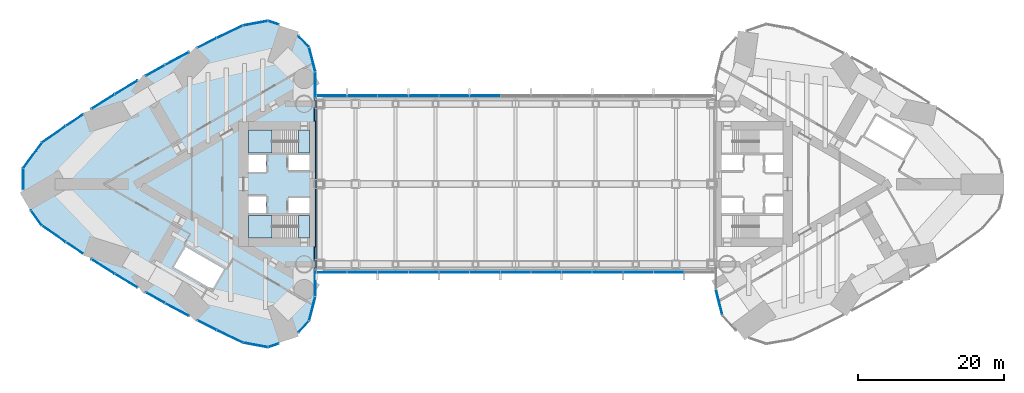
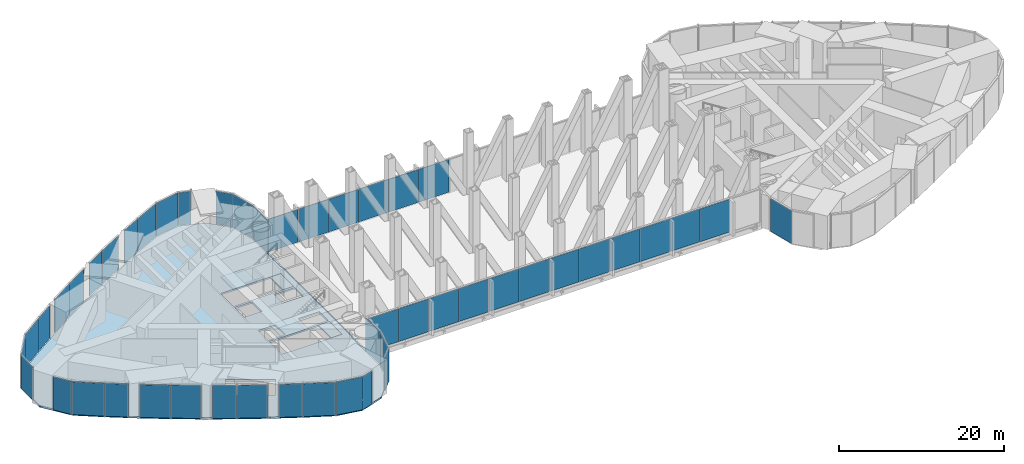
# One storey, part 14 of 21: 49 plates, 5 slabs, 15 elements without a shape of their own.
"""IFC4 building model written with IfcOpenShell, lengths in metres."""

from ifc_helpers import new_model, si_unit, direction, frame, origin, origin_2d, place, context, subcontext, project, spatial, polyline, rectangle, outline, extrude, material, layer, layer_set, type_object, element, aggregate, save


model = new_model("IFC4")

# Units and contexts
model_context = context("Model", 3, precision=1e-05, world=origin(), true_north=direction((0.0, 1.0)))
body_context = subcontext(model_context, "Body", "Model", "MODEL_VIEW")
ifc_project = project(units=[si_unit("LENGTHUNIT", "METRE"), si_unit("AREAUNIT", "SQUARE_METRE"), si_unit("VOLUMEUNIT", "CUBIC_METRE"), si_unit("PLANEANGLEUNIT", "RADIAN"), si_unit("MASSUNIT", "GRAM", prefix="KILO")], contexts=[model_context])

# Site, building, storey
site_placement = place(None, origin())
site = spatial("IfcSite", under=ifc_project, at=site_placement, CompositionType="ELEMENT")
building_placement = place(site_placement, origin())
building = spatial("IfcBuilding", under=site, at=building_placement, Name="Lancet Gate Hotel", CompositionType="ELEMENT")
storey_placement = place(building_placement, frame((0.0, 0.0, 205.300048828125)))
storey = spatial("IfcBuildingStorey", under=building, at=storey_placement, Name="L55", CompositionType="ELEMENT", Elevation=205.300048828125)

# Slab
ifc_material_1 = material(Name="Concrete C50/60", Category="concrete")
ifc_layer_1 = layer(ifc_material_1, 0.25)
ifc_layer_set_1 = layer_set([ifc_layer_1], Name="Floor slab 250")
slab_type_1 = type_object("IfcSlabType", Name="Floor slab 250", PredefinedType="FLOOR", material=ifc_layer_set_1)
slab_1_placement = place(storey_placement, frame((0.0, 0.0, -0.25)))
element("IfcSlab", 1, at=slab_1_placement, inside=storey, type_object=slab_type_1, Name="T1 L55 floor slab", PredefinedType="FLOOR", context=body_context, shape_type="SweptSolid", body=[
    extrude(outline(polyline([(-27.5, 8.60009765625), (-27.6201171875, 8.60009765625), (-27.6201171875, 15.408203125), (-28.46923828125, 18.7265625), (-30.797607421875, 21.217529296875), (-34.0361328125, 22.283935546875), (-37.403564453125, 21.660400390625), (-40.996826171875, 19.9453125), (-44.561767578125, 18.139404296875), (-48.0830078125, 16.250244140625), (-51.558837890625, 14.27880859375), (-54.987548828125, 12.22607421875), (-58.366943359375, 10.09326171875), (-61.695068359375, 7.881591796875), (-64.955322265625, 5.602783203125), (-67.49560546875, 2.138427734375), (-67.49560546875, -2.138427734375), (-64.955322265625, -5.602783203125), (-61.695068359375, -7.881591796875), (-58.366943359375, -10.09326171875), (-54.987548828125, -12.22607421875), (-51.558837890625, -14.27880859375), (-48.0830078125, -16.250244140625), (-44.561767578125, -18.139404296875), (-40.996826171875, -19.9453125), (-37.403564453125, -21.660400390625), (-34.0361328125, -22.283935546875), (-30.797607421875, -21.217529296875), (-28.46923828125, -18.7265625), (-27.6201171875, -15.408203125), (-27.6201171875, -8.60009765625), (-27.5, -8.60009765625), (-27.5, -8.199951171875), (-27.5, 8.199951171875), (-27.5, 8.60009765625)]), holes=[polyline([(-36.699951171875, 7.39990234375), (-36.699951171875, 4.300048828125), (-28.300048828125, 4.300048828125), (-28.300048828125, 7.39990234375), (-36.699951171875, 7.39990234375)]), polyline([(-28.300048828125, 4.0), (-31.199951171875, 4.0), (-31.199951171875, 1.89990234375), (-28.300048828125, 1.89990234375), (-28.300048828125, 4.0)]), polyline([(-34.25, 4.0), (-36.699951171875, 4.0), (-36.699951171875, 1.64990234375), (-34.25, 1.64990234375), (-34.25, 4.0)]), polyline([(-36.699951171875, -1.64990234375), (-36.699951171875, -4.0), (-34.25, -4.0), (-34.25, -1.64990234375), (-36.699951171875, -1.64990234375)]), polyline([(-28.300048828125, -1.89990234375), (-31.199951171875, -1.89990234375), (-31.199951171875, -4.0), (-28.300048828125, -4.0), (-28.300048828125, -1.89990234375)]), polyline([(-28.300048828125, -4.300048828125), (-36.699951171875, -4.300048828125), (-36.699951171875, -7.39990234375), (-28.300048828125, -7.39990234375), (-28.300048828125, -4.300048828125)]), polyline([(-45.319091796875, -8.631103515625), (-46.9189453125, -11.402099609375), (-41.635986328125, -14.451904296875), (-40.035888671875, -11.680908203125), (-45.319091796875, -8.631103515625)])]), origin(), (0.0, 0.0, 1.0), 0.25),
])

# Curtain wall, plates
ifc_material_2 = material(Name="Aluminium curtain wall", Category="aluminium")
curtain_wall_type = type_object("IfcCurtainWallType", Name="Refuge storey louvred curtain wall", PredefinedType="USERDEFINED", material=ifc_material_2)
curtain_wall_1_placement = place(storey_placement, origin())
curtain_wall_1 = element("IfcCurtainWall", 2, at=curtain_wall_1_placement, inside=storey, type_object=curtain_wall_type, Name="T1 L55 curtain wall 1", ObjectType="LANTERN GLAZING", PredefinedType="USERDEFINED")
ifc_material_3 = material(Name="Aluminium weather louvre 100 deep", Category="aluminium")
ifc_layer_2 = layer(ifc_material_3, 0.10009765625)
ifc_layer_set_2 = layer_set([ifc_layer_2], Name="Louvre panel")
plate_type_1 = type_object("IfcPlateType", Name="Louvre panel", PredefinedType="CURTAIN_PANEL", material=ifc_layer_set_2)
plate_1_placement = place(storey_placement, frame((-27.5, 13.617431640625, 0.0), z_axis=(0.0, 0.0, 1.0), x_axis=(0.0, 1.0, 0.0)))
plate_1 = element("IfcPlate", 3, at=plate_1_placement, type_object=plate_type_1, Name="T1 L55 curtain wall 1 panel 1", PredefinedType="CURTAIN_PANEL", context=body_context, shape_type="SweptSolid", body=[
    extrude(rectangle(XDim=3.546630859375, YDim=0.10009765625, at=origin_2d()), origin(), (0.0, 0.0, 1.0), 4.85009765625),
])
plate_2_placement = place(storey_placement, frame((-27.930419921875, 17.104736328125, 0.0), z_axis=(0.0, 0.0, 1.0), x_axis=(-0.247936754654, 0.968776220647, 0.0)))
plate_2 = element("IfcPlate", 4, at=plate_2_placement, type_object=plate_type_1, Name="T1 L55 curtain wall 1 panel 2", PredefinedType="CURTAIN_PANEL", context=body_context, shape_type="SweptSolid", body=[
    extrude(rectangle(XDim=3.406005859375, YDim=0.10009765625, at=origin_2d()), origin(), (0.0, 0.0, 1.0), 4.85009765625),
])
plate_3_placement = place(storey_placement, frame((-29.109619140625, 19.58740234375, 0.0), z_axis=(0.0, 0.0, 1.0), x_axis=(-0.682844962172, 0.730563315282, 0.0)))
plate_3 = element("IfcPlate", 5, at=plate_3_placement, type_object=plate_type_1, Name="T1 L55 curtain wall 1 panel 3", PredefinedType="CURTAIN_PANEL", context=body_context, shape_type="SweptSolid", body=[
    extrude(rectangle(XDim=2.12841796875, YDim=0.10009765625, at=origin_2d()), origin(), (0.0, 0.0, 1.0), 4.85009765625),
])
aggregate(curtain_wall_1, [plate_1, plate_2, plate_3])

curtain_wall_2_placement = place(storey_placement, origin())
curtain_wall_2 = element("IfcCurtainWall", 6, at=curtain_wall_2_placement, inside=storey, type_object=curtain_wall_type, Name="T1 L55 curtain wall 2", ObjectType="LANTERN GLAZING", PredefinedType="USERDEFINED")
plate_4_placement = place(storey_placement, frame((-33.2548828125, 22.15283203125, 0.0), z_axis=(0.0, 0.0, 1.0), x_axis=(-0.949848055084, 0.312711803827, 0.0)))
plate_4 = element("IfcPlate", 7, at=plate_4_placement, type_object=plate_type_1, Name="T1 L55 curtain wall 2 panel 1", PredefinedType="CURTAIN_PANEL", context=body_context, shape_type="SweptSolid", body=[
    extrude(rectangle(XDim=1.562744140625, YDim=0.10009765625, at=origin_2d()), origin(), (0.0, 0.0, 1.0), 4.85009765625),
])
plate_5_placement = place(storey_placement, frame((-35.734375, 22.091552734375, 0.0), z_axis=(0.0, 0.0, 1.0), x_axis=(-0.983292499426, -0.182032581075, 0.0)))
plate_5 = element("IfcPlate", 8, at=plate_5_placement, type_object=plate_type_1, Name="T1 L55 curtain wall 2 panel 2", PredefinedType="CURTAIN_PANEL", context=body_context, shape_type="SweptSolid", body=[
    extrude(rectangle(XDim=3.406005859375, YDim=0.10009765625, at=origin_2d()), origin(), (0.0, 0.0, 1.0), 4.85009765625),
])
plate_6_placement = place(storey_placement, frame((-39.245361328125, 20.914306640625, 0.0), z_axis=(0.0, 0.0, 1.0), x_axis=(-0.902453530018, -0.430787216799, 0.0)))
plate_6 = element("IfcPlate", 9, at=plate_6_placement, type_object=plate_type_1, Name="T1 L55 curtain wall 2 panel 3", PredefinedType="CURTAIN_PANEL", context=body_context, shape_type="SweptSolid", body=[
    extrude(rectangle(XDim=3.933837890625, YDim=0.10009765625, at=origin_2d()), origin(), (0.0, 0.0, 1.0), 4.85009765625),
])
plate_7_placement = place(storey_placement, frame((-42.361328125, 19.388427734375, 0.0), z_axis=(0.0, 0.0, 1.0), x_axis=(-0.892071119911, -0.451895028762, 0.0)))
plate_7 = element("IfcPlate", 10, at=plate_7_placement, type_object=plate_type_1, Name="T1 L55 curtain wall 2 panel 4", PredefinedType="CURTAIN_PANEL", context=body_context, shape_type="SweptSolid", body=[
    extrude(rectangle(XDim=2.875244140625, YDim=0.10009765625, at=origin_2d()), origin(), (0.0, 0.0, 1.0), 4.85009765625),
])
aggregate(curtain_wall_2, [plate_4, plate_5, plate_6, plate_7])

curtain_wall_3_placement = place(storey_placement, origin())
curtain_wall_3 = element("IfcCurtainWall", 11, at=curtain_wall_3_placement, inside=storey, type_object=curtain_wall_type, Name="T1 L55 curtain wall 3", ObjectType="LANTERN GLAZING", PredefinedType="USERDEFINED")
plate_8_placement = place(storey_placement, frame((-46.492919921875, 17.239501953125, 0.0), z_axis=(0.0, 0.0, 1.0), x_axis=(-0.881195096384, -0.472752791751, 0.0)))
plate_8 = element("IfcPlate", 12, at=plate_8_placement, type_object=plate_type_1, Name="T1 L55 curtain wall 3 panel 1", PredefinedType="CURTAIN_PANEL", context=body_context, shape_type="SweptSolid", body=[
    extrude(rectangle(XDim=3.675537109375, YDim=0.10009765625, at=origin_2d()), origin(), (0.0, 0.0, 1.0), 4.85009765625),
])
plate_9_placement = place(storey_placement, frame((-49.457275390625, 15.60888671875, 0.0), z_axis=(0.0, 0.0, 1.0), x_axis=(-0.869831477496, -0.493348964484, 0.0)))
plate_9 = element("IfcPlate", 13, at=plate_9_placement, type_object=plate_type_1, Name="T1 L55 curtain wall 3 panel 2", PredefinedType="CURTAIN_PANEL", context=body_context, shape_type="SweptSolid", body=[
    extrude(rectangle(XDim=2.96142578125, YDim=0.10009765625, at=origin_2d()), origin(), (0.0, 0.0, 1.0), 4.85009765625),
])
aggregate(curtain_wall_3, [plate_8, plate_9])

curtain_wall_4_placement = place(storey_placement, origin())
curtain_wall_4 = element("IfcCurtainWall", 14, at=curtain_wall_4_placement, inside=storey, type_object=curtain_wall_type, Name="T1 L55 curtain wall 4", ObjectType="LANTERN GLAZING", PredefinedType="USERDEFINED")
plate_10_placement = place(storey_placement, frame((-53.472900390625, 13.272705078125, 0.0), z_axis=(0.0, 0.0, 1.0), x_axis=(-0.857986551132, -0.51367215038, 0.0)))
plate_10 = element("IfcPlate", 15, at=plate_10_placement, type_object=plate_type_1, Name="T1 L55 curtain wall 4 panel 1", PredefinedType="CURTAIN_PANEL", context=body_context, shape_type="SweptSolid", body=[
    extrude(rectangle(XDim=3.61181640625, YDim=0.10009765625, at=origin_2d()), origin(), (0.0, 0.0, 1.0), 4.85009765625),
])
plate_11_placement = place(storey_placement, frame((-56.650390625, 11.318359375, 0.0), z_axis=(0.0, 0.0, 1.0), x_axis=(-0.845666871497, -0.533711103925, 0.0)))
plate_11 = element("IfcPlate", 16, at=plate_11_placement, type_object=plate_type_1, Name="T1 L55 curtain wall 4 panel 2", PredefinedType="CURTAIN_PANEL", context=body_context, shape_type="SweptSolid", body=[
    extrude(rectangle(XDim=3.71923828125, YDim=0.10009765625, at=origin_2d()), origin(), (0.0, 0.0, 1.0), 4.85009765625),
])
aggregate(curtain_wall_4, [plate_10, plate_11])

curtain_wall_5_placement = place(storey_placement, origin())
curtain_wall_5 = element("IfcCurtainWall", 17, at=curtain_wall_5_placement, inside=storey, type_object=curtain_wall_type, Name="T1 L55 curtain wall 5", ObjectType="LANTERN GLAZING", PredefinedType="USERDEFINED")
plate_12_placement = place(storey_placement, frame((-60.5634765625, 8.77783203125, 0.0), z_axis=(0.0, 0.0, 1.0), x_axis=(-0.832879255498, -0.553454736867, 0.0)))
plate_12 = element("IfcPlate", 18, at=plate_12_placement, type_object=plate_type_1, Name="T1 L55 curtain wall 5 panel 1", PredefinedType="CURTAIN_PANEL", context=body_context, shape_type="SweptSolid", body=[
    extrude(rectangle(XDim=2.814697265625, YDim=0.10009765625, at=origin_2d()), origin(), (0.0, 0.0, 1.0), 4.85009765625),
])
plate_13_placement = place(storey_placement, frame((-63.401611328125, 6.835205078125, 0.0), z_axis=(0.0, 0.0, 1.0), x_axis=(-0.819630778943, -0.572892124409, 0.0)))
plate_13 = element("IfcPlate", 19, at=plate_13_placement, type_object=plate_type_1, Name="T1 L55 curtain wall 5 panel 2", PredefinedType="CURTAIN_PANEL", context=body_context, shape_type="SweptSolid", body=[
    extrude(rectangle(XDim=3.933837890625, YDim=0.10009765625, at=origin_2d()), origin(), (0.0, 0.0, 1.0), 4.85009765625),
])
plate_14_placement = place(storey_placement, frame((-66.328125, 3.933837890625, 0.0), z_axis=(0.0, 0.0, 1.0), x_axis=(-0.591299785592, -0.806451835858, 0.0)))
plate_14 = element("IfcPlate", 20, at=plate_14_placement, type_object=plate_type_1, Name="T1 L55 curtain wall 5 panel 3", PredefinedType="CURTAIN_PANEL", context=body_context, shape_type="SweptSolid", body=[
    extrude(rectangle(XDim=4.290283203125, YDim=0.10009765625, at=origin_2d()), origin(), (0.0, 0.0, 1.0), 4.85009765625),
])
plate_15_placement = place(storey_placement, frame((-67.61572265625, 0.686279296875, 0.0), z_axis=(0.0, 0.0, 1.0), x_axis=(0.0, -1.0, 0.0)))
plate_15 = element("IfcPlate", 21, at=plate_15_placement, type_object=plate_type_1, Name="T1 L55 curtain wall 5 panel 4", PredefinedType="CURTAIN_PANEL", context=body_context, shape_type="SweptSolid", body=[
    extrude(rectangle(XDim=2.917724609375, YDim=0.10009765625, at=origin_2d()), origin(), (0.0, 0.0, 1.0), 4.85009765625),
])
aggregate(curtain_wall_5, [plate_12, plate_13, plate_14, plate_15])

curtain_wall_6_placement = place(storey_placement, origin())
curtain_wall_6 = element("IfcCurtainWall", 22, at=curtain_wall_6_placement, inside=storey, type_object=curtain_wall_type, Name="T1 L55 curtain wall 6", ObjectType="LANTERN GLAZING", PredefinedType="USERDEFINED")
plate_16_placement = place(storey_placement, frame((-65.795654296875, -4.65966796875, 0.0), z_axis=(0.0, 0.0, 1.0), x_axis=(0.591299785592, -0.806451835858, 0.0)))
plate_16 = element("IfcPlate", 23, at=plate_16_placement, type_object=plate_type_1, Name="T1 L55 curtain wall 6 panel 1", PredefinedType="CURTAIN_PANEL", context=body_context, shape_type="SweptSolid", body=[
    extrude(rectangle(XDim=2.489501953125, YDim=0.10009765625, at=origin_2d()), origin(), (0.0, 0.0, 1.0), 4.85009765625),
])
plate_17_placement = place(storey_placement, frame((-63.401611328125, -6.835205078125, 0.0), z_axis=(0.0, 0.0, 1.0), x_axis=(0.819630778943, -0.572892124409, 0.0)))
plate_17 = element("IfcPlate", 24, at=plate_17_placement, type_object=plate_type_1, Name="T1 L55 curtain wall 6 panel 2", PredefinedType="CURTAIN_PANEL", context=body_context, shape_type="SweptSolid", body=[
    extrude(rectangle(XDim=3.933837890625, YDim=0.10009765625, at=origin_2d()), origin(), (0.0, 0.0, 1.0), 4.85009765625),
])
plate_18_placement = place(storey_placement, frame((-60.5634765625, -8.77783203125, 0.0), z_axis=(0.0, 0.0, 1.0), x_axis=(0.832879255498, -0.553454736867, 0.0)))
plate_18 = element("IfcPlate", 25, at=plate_18_placement, type_object=plate_type_1, Name="T1 L55 curtain wall 6 panel 3", PredefinedType="CURTAIN_PANEL", context=body_context, shape_type="SweptSolid", body=[
    extrude(rectangle(XDim=2.814697265625, YDim=0.10009765625, at=origin_2d()), origin(), (0.0, 0.0, 1.0), 4.85009765625),
])
aggregate(curtain_wall_6, [plate_16, plate_17, plate_18])

curtain_wall_7_placement = place(storey_placement, origin())
curtain_wall_7 = element("IfcCurtainWall", 26, at=curtain_wall_7_placement, inside=storey, type_object=curtain_wall_type, Name="T1 L55 curtain wall 7", ObjectType="LANTERN GLAZING", PredefinedType="USERDEFINED")
plate_19_placement = place(storey_placement, frame((-56.650390625, -11.318359375, 0.0), z_axis=(0.0, 0.0, 1.0), x_axis=(0.845666871497, -0.533711103925, 0.0)))
plate_19 = element("IfcPlate", 27, at=plate_19_placement, type_object=plate_type_1, Name="T1 L55 curtain wall 7 panel 1", PredefinedType="CURTAIN_PANEL", context=body_context, shape_type="SweptSolid", body=[
    extrude(rectangle(XDim=3.71923828125, YDim=0.10009765625, at=origin_2d()), origin(), (0.0, 0.0, 1.0), 4.85009765625),
])
plate_20_placement = place(storey_placement, frame((-53.472900390625, -13.272705078125, 0.0), z_axis=(0.0, 0.0, 1.0), x_axis=(0.857986551132, -0.51367215038, 0.0)))
plate_20 = element("IfcPlate", 28, at=plate_20_placement, type_object=plate_type_1, Name="T1 L55 curtain wall 7 panel 2", PredefinedType="CURTAIN_PANEL", context=body_context, shape_type="SweptSolid", body=[
    extrude(rectangle(XDim=3.61181640625, YDim=0.10009765625, at=origin_2d()), origin(), (0.0, 0.0, 1.0), 4.85009765625),
])
aggregate(curtain_wall_7, [plate_19, plate_20])

curtain_wall_8_placement = place(storey_placement, origin())
curtain_wall_8 = element("IfcCurtainWall", 29, at=curtain_wall_8_placement, inside=storey, type_object=curtain_wall_type, Name="T1 L55 curtain wall 8", ObjectType="LANTERN GLAZING", PredefinedType="USERDEFINED")
plate_21_placement = place(storey_placement, frame((-49.457275390625, -15.60888671875, 0.0), z_axis=(0.0, 0.0, 1.0), x_axis=(0.869831477496, -0.493348964484, 0.0)))
plate_21 = element("IfcPlate", 30, at=plate_21_placement, type_object=plate_type_1, Name="T1 L55 curtain wall 8 panel 1", PredefinedType="CURTAIN_PANEL", context=body_context, shape_type="SweptSolid", body=[
    extrude(rectangle(XDim=2.96142578125, YDim=0.10009765625, at=origin_2d()), origin(), (0.0, 0.0, 1.0), 4.85009765625),
])
plate_22_placement = place(storey_placement, frame((-46.492919921875, -17.239501953125, 0.0), z_axis=(0.0, 0.0, 1.0), x_axis=(0.881195096384, -0.472752791751, 0.0)))
plate_22 = element("IfcPlate", 31, at=plate_22_placement, type_object=plate_type_1, Name="T1 L55 curtain wall 8 panel 2", PredefinedType="CURTAIN_PANEL", context=body_context, shape_type="SweptSolid", body=[
    extrude(rectangle(XDim=3.675537109375, YDim=0.10009765625, at=origin_2d()), origin(), (0.0, 0.0, 1.0), 4.85009765625),
])
aggregate(curtain_wall_8, [plate_21, plate_22])

curtain_wall_9_placement = place(storey_placement, origin())
curtain_wall_9 = element("IfcCurtainWall", 32, at=curtain_wall_9_placement, inside=storey, type_object=curtain_wall_type, Name="T1 L55 curtain wall 9", ObjectType="LANTERN GLAZING", PredefinedType="USERDEFINED")
plate_23_placement = place(storey_placement, frame((-42.361328125, -19.388427734375, 0.0), z_axis=(0.0, 0.0, 1.0), x_axis=(0.892071119911, -0.451895028762, 0.0)))
plate_23 = element("IfcPlate", 33, at=plate_23_placement, type_object=plate_type_1, Name="T1 L55 curtain wall 9 panel 1", PredefinedType="CURTAIN_PANEL", context=body_context, shape_type="SweptSolid", body=[
    extrude(rectangle(XDim=2.875244140625, YDim=0.10009765625, at=origin_2d()), origin(), (0.0, 0.0, 1.0), 4.85009765625),
])
plate_24_placement = place(storey_placement, frame((-39.245361328125, -20.914306640625, 0.0), z_axis=(0.0, 0.0, 1.0), x_axis=(0.902453530018, -0.430787216799, 0.0)))
plate_24 = element("IfcPlate", 34, at=plate_24_placement, type_object=plate_type_1, Name="T1 L55 curtain wall 9 panel 2", PredefinedType="CURTAIN_PANEL", context=body_context, shape_type="SweptSolid", body=[
    extrude(rectangle(XDim=3.933837890625, YDim=0.10009765625, at=origin_2d()), origin(), (0.0, 0.0, 1.0), 4.85009765625),
])
plate_25_placement = place(storey_placement, frame((-35.734375, -22.091552734375, 0.0), z_axis=(0.0, 0.0, 1.0), x_axis=(0.983292499426, -0.182032581075, 0.0)))
plate_25 = element("IfcPlate", 35, at=plate_25_placement, type_object=plate_type_1, Name="T1 L55 curtain wall 9 panel 3", PredefinedType="CURTAIN_PANEL", context=body_context, shape_type="SweptSolid", body=[
    extrude(rectangle(XDim=3.406005859375, YDim=0.10009765625, at=origin_2d()), origin(), (0.0, 0.0, 1.0), 4.85009765625),
])
plate_26_placement = place(storey_placement, frame((-33.2548828125, -22.15283203125, 0.0), z_axis=(0.0, 0.0, 1.0), x_axis=(0.949848055084, 0.312711803827, 0.0)))
plate_26 = element("IfcPlate", 36, at=plate_26_placement, type_object=plate_type_1, Name="T1 L55 curtain wall 9 panel 4", PredefinedType="CURTAIN_PANEL", context=body_context, shape_type="SweptSolid", body=[
    extrude(rectangle(XDim=1.562744140625, YDim=0.10009765625, at=origin_2d()), origin(), (0.0, 0.0, 1.0), 4.85009765625),
])
aggregate(curtain_wall_9, [plate_23, plate_24, plate_25, plate_26])

curtain_wall_10_placement = place(storey_placement, origin())
curtain_wall_10 = element("IfcCurtainWall", 37, at=curtain_wall_10_placement, inside=storey, type_object=curtain_wall_type, Name="T1 L55 curtain wall 10", ObjectType="LANTERN GLAZING", PredefinedType="USERDEFINED")
plate_27_placement = place(storey_placement, frame((-29.109619140625, -19.58740234375, 0.0), z_axis=(0.0, 0.0, 1.0), x_axis=(0.682844962172, 0.730563315282, 0.0)))
plate_27 = element("IfcPlate", 38, at=plate_27_placement, type_object=plate_type_1, Name="T1 L55 curtain wall 10 panel 1", PredefinedType="CURTAIN_PANEL", context=body_context, shape_type="SweptSolid", body=[
    extrude(rectangle(XDim=2.12841796875, YDim=0.10009765625, at=origin_2d()), origin(), (0.0, 0.0, 1.0), 4.85009765625),
])
plate_28_placement = place(storey_placement, frame((-27.930419921875, -17.104736328125, 0.0), z_axis=(0.0, 0.0, 1.0), x_axis=(0.247936754654, 0.968776220647, 0.0)))
plate_28 = element("IfcPlate", 39, at=plate_28_placement, type_object=plate_type_1, Name="T1 L55 curtain wall 10 panel 2", PredefinedType="CURTAIN_PANEL", context=body_context, shape_type="SweptSolid", body=[
    extrude(rectangle(XDim=3.406005859375, YDim=0.10009765625, at=origin_2d()), origin(), (0.0, 0.0, 1.0), 4.85009765625),
])
plate_29_placement = place(storey_placement, frame((-27.5, -13.617431640625, 0.0), z_axis=(0.0, 0.0, 1.0), x_axis=(0.0, 1.0, 0.0)))
plate_29 = element("IfcPlate", 40, at=plate_29_placement, type_object=plate_type_1, Name="T1 L55 curtain wall 10 panel 3", PredefinedType="CURTAIN_PANEL", context=body_context, shape_type="SweptSolid", body=[
    extrude(rectangle(XDim=3.546630859375, YDim=0.10009765625, at=origin_2d()), origin(), (0.0, 0.0, 1.0), 4.85009765625),
])
aggregate(curtain_wall_10, [plate_27, plate_28, plate_29])

# Curtain wall, plate
curtain_wall_11_placement = place(storey_placement, origin())
curtain_wall_11 = element("IfcCurtainWall", 41, at=curtain_wall_11_placement, inside=storey, type_object=curtain_wall_type, Name="T2 L55 curtain wall 1", ObjectType="LANTERN GLAZING", PredefinedType="USERDEFINED")
plate_30_placement = place(storey_placement, frame((27.95458984375, -16.2548828125, 0.0), z_axis=(0.0, 0.0, 1.0), x_axis=(0.246166705764, -0.969227503207, 0.0)))
plate_30 = element("IfcPlate", 42, at=plate_30_placement, type_object=plate_type_1, Name="T2 L55 curtain wall 1 panel 2", PredefinedType="CURTAIN_PANEL", context=body_context, shape_type="SweptSolid", body=[
    extrude(rectangle(XDim=3.62744140625, YDim=0.10009765625, at=origin_2d()), origin(), (0.0, 0.0, 1.0), 4.85009765625),
])
aggregate(curtain_wall_11, [plate_30])

# Curtain wall, plates
curtain_wall_12_placement = place(storey_placement, origin())
curtain_wall_12 = element("IfcCurtainWall", 43, at=curtain_wall_12_placement, inside=storey, type_object=curtain_wall_type, Name="Bridge block L55 curtain wall S", ObjectType="LANTERN GLAZING", PredefinedType="USERDEFINED")
plate_31_placement = place(storey_placement, frame((-25.24609375, -12.1201171875, 0.0), z_axis=(0.0, 0.0, 1.0), x_axis=(1.0, 0.0, 0.0)))
plate_31 = element("IfcPlate", 44, at=plate_31_placement, type_object=plate_type_1, Name="Bridge block L55 curtain wall S panel 1", PredefinedType="CURTAIN_PANEL", context=body_context, shape_type="SweptSolid", body=[
    extrude(rectangle(XDim=4.142578125, YDim=0.10009765625, at=origin_2d()), origin(), (0.0, 0.0, 1.0), 4.85009765625),
])
plate_32_placement = place(storey_placement, frame((-21.03857421875, -12.1201171875, 0.0), z_axis=(0.0, 0.0, 1.0), x_axis=(1.0, 0.0, 0.0)))
plate_32 = element("IfcPlate", 45, at=plate_32_placement, type_object=plate_type_1, Name="Bridge block L55 curtain wall S panel 2", PredefinedType="CURTAIN_PANEL", context=body_context, shape_type="SweptSolid", body=[
    extrude(rectangle(XDim=4.142578125, YDim=0.10009765625, at=origin_2d()), origin(), (0.0, 0.0, 1.0), 4.85009765625),
])
plate_33_placement = place(storey_placement, frame((-16.830810546875, -12.1201171875, 0.0), z_axis=(0.0, 0.0, 1.0), x_axis=(1.0, 0.0, 0.0)))
plate_33 = element("IfcPlate", 46, at=plate_33_placement, type_object=plate_type_1, Name="Bridge block L55 curtain wall S panel 3", PredefinedType="CURTAIN_PANEL", context=body_context, shape_type="SweptSolid", body=[
    extrude(rectangle(XDim=4.142578125, YDim=0.10009765625, at=origin_2d()), origin(), (0.0, 0.0, 1.0), 4.85009765625),
])
plate_34_placement = place(storey_placement, frame((-12.623046875, -12.1201171875, 0.0), z_axis=(0.0, 0.0, 1.0), x_axis=(1.0, 0.0, 0.0)))
plate_34 = element("IfcPlate", 47, at=plate_34_placement, type_object=plate_type_1, Name="Bridge block L55 curtain wall S panel 4", PredefinedType="CURTAIN_PANEL", context=body_context, shape_type="SweptSolid", body=[
    extrude(rectangle(XDim=4.142578125, YDim=0.10009765625, at=origin_2d()), origin(), (0.0, 0.0, 1.0), 4.85009765625),
])
plate_35_placement = place(storey_placement, frame((-8.415283203125, -12.1201171875, 0.0), z_axis=(0.0, 0.0, 1.0), x_axis=(1.0, 0.0, 0.0)))
plate_35 = element("IfcPlate", 48, at=plate_35_placement, type_object=plate_type_1, Name="Bridge block L55 curtain wall S panel 5", PredefinedType="CURTAIN_PANEL", context=body_context, shape_type="SweptSolid", body=[
    extrude(rectangle(XDim=4.142578125, YDim=0.10009765625, at=origin_2d()), origin(), (0.0, 0.0, 1.0), 4.85009765625),
])
plate_36_placement = place(storey_placement, frame((-4.207763671875, -12.1201171875, 0.0), z_axis=(0.0, 0.0, 1.0), x_axis=(1.0, 0.0, 0.0)))
plate_36 = element("IfcPlate", 49, at=plate_36_placement, type_object=plate_type_1, Name="Bridge block L55 curtain wall S panel 6", PredefinedType="CURTAIN_PANEL", context=body_context, shape_type="SweptSolid", body=[
    extrude(rectangle(XDim=4.142578125, YDim=0.10009765625, at=origin_2d()), origin(), (0.0, 0.0, 1.0), 4.85009765625),
])
plate_37_placement = place(storey_placement, frame((0.0, -12.1201171875, 0.0), z_axis=(0.0, 0.0, 1.0), x_axis=(1.0, 0.0, 0.0)))
plate_37 = element("IfcPlate", 50, at=plate_37_placement, type_object=plate_type_1, Name="Bridge block L55 curtain wall S panel 7", PredefinedType="CURTAIN_PANEL", context=body_context, shape_type="SweptSolid", body=[
    extrude(rectangle(XDim=4.142578125, YDim=0.10009765625, at=origin_2d()), origin(), (0.0, 0.0, 1.0), 4.85009765625),
])
plate_38_placement = place(storey_placement, frame((4.207763671875, -12.1201171875, 0.0), z_axis=(0.0, 0.0, 1.0), x_axis=(1.0, 0.0, 0.0)))
plate_38 = element("IfcPlate", 51, at=plate_38_placement, type_object=plate_type_1, Name="Bridge block L55 curtain wall S panel 8", PredefinedType="CURTAIN_PANEL", context=body_context, shape_type="SweptSolid", body=[
    extrude(rectangle(XDim=4.142578125, YDim=0.10009765625, at=origin_2d()), origin(), (0.0, 0.0, 1.0), 4.85009765625),
])
plate_39_placement = place(storey_placement, frame((8.415283203125, -12.1201171875, 0.0), z_axis=(0.0, 0.0, 1.0), x_axis=(1.0, 0.0, 0.0)))
plate_39 = element("IfcPlate", 52, at=plate_39_placement, type_object=plate_type_1, Name="Bridge block L55 curtain wall S panel 9", PredefinedType="CURTAIN_PANEL", context=body_context, shape_type="SweptSolid", body=[
    extrude(rectangle(XDim=4.142578125, YDim=0.10009765625, at=origin_2d()), origin(), (0.0, 0.0, 1.0), 4.85009765625),
])
plate_40_placement = place(storey_placement, frame((12.623046875, -12.1201171875, 0.0), z_axis=(0.0, 0.0, 1.0), x_axis=(1.0, 0.0, 0.0)))
plate_40 = element("IfcPlate", 53, at=plate_40_placement, type_object=plate_type_1, Name="Bridge block L55 curtain wall S panel 10", PredefinedType="CURTAIN_PANEL", context=body_context, shape_type="SweptSolid", body=[
    extrude(rectangle(XDim=4.142578125, YDim=0.10009765625, at=origin_2d()), origin(), (0.0, 0.0, 1.0), 4.85009765625),
])
plate_41_placement = place(storey_placement, frame((16.830810546875, -12.1201171875, 0.0), z_axis=(0.0, 0.0, 1.0), x_axis=(1.0, 0.0, 0.0)))
plate_41 = element("IfcPlate", 54, at=plate_41_placement, type_object=plate_type_1, Name="Bridge block L55 curtain wall S panel 11", PredefinedType="CURTAIN_PANEL", context=body_context, shape_type="SweptSolid", body=[
    extrude(rectangle(XDim=4.142578125, YDim=0.10009765625, at=origin_2d()), origin(), (0.0, 0.0, 1.0), 4.85009765625),
])
plate_42_placement = place(storey_placement, frame((21.03857421875, -12.1201171875, 0.0), z_axis=(0.0, 0.0, 1.0), x_axis=(1.0, 0.0, 0.0)))
plate_42 = element("IfcPlate", 55, at=plate_42_placement, type_object=plate_type_1, Name="Bridge block L55 curtain wall S panel 12", PredefinedType="CURTAIN_PANEL", context=body_context, shape_type="SweptSolid", body=[
    extrude(rectangle(XDim=4.142578125, YDim=0.10009765625, at=origin_2d()), origin(), (0.0, 0.0, 1.0), 4.85009765625),
])
aggregate(curtain_wall_12, [plate_31, plate_32, plate_33, plate_34, plate_35, plate_36, plate_37, plate_38, plate_39, plate_40, plate_41, plate_42])

curtain_wall_13_placement = place(storey_placement, origin())
curtain_wall_13 = element("IfcCurtainWall", 56, at=curtain_wall_13_placement, inside=storey, type_object=curtain_wall_type, Name="Bridge block L55 curtain wall N", ObjectType="LANTERN GLAZING", PredefinedType="USERDEFINED")
plate_43_placement = place(storey_placement, frame((-4.207763671875, 12.1201171875, 0.0), z_axis=(0.0, 0.0, 1.0), x_axis=(-1.0, 0.0, 0.0)))
plate_43 = element("IfcPlate", 57, at=plate_43_placement, type_object=plate_type_1, Name="Bridge block L55 curtain wall N panel 8", PredefinedType="CURTAIN_PANEL", context=body_context, shape_type="SweptSolid", body=[
    extrude(rectangle(XDim=4.142578125, YDim=0.10009765625, at=origin_2d()), origin(), (0.0, 0.0, 1.0), 4.85009765625),
])
plate_44_placement = place(storey_placement, frame((-8.415283203125, 12.1201171875, 0.0), z_axis=(0.0, 0.0, 1.0), x_axis=(-1.0, 0.0, 0.0)))
plate_44 = element("IfcPlate", 58, at=plate_44_placement, type_object=plate_type_1, Name="Bridge block L55 curtain wall N panel 9", PredefinedType="CURTAIN_PANEL", context=body_context, shape_type="SweptSolid", body=[
    extrude(rectangle(XDim=4.142578125, YDim=0.10009765625, at=origin_2d()), origin(), (0.0, 0.0, 1.0), 4.85009765625),
])
plate_45_placement = place(storey_placement, frame((-12.623046875, 12.1201171875, 0.0), z_axis=(0.0, 0.0, 1.0), x_axis=(-1.0, 0.0, 0.0)))
plate_45 = element("IfcPlate", 59, at=plate_45_placement, type_object=plate_type_1, Name="Bridge block L55 curtain wall N panel 10", PredefinedType="CURTAIN_PANEL", context=body_context, shape_type="SweptSolid", body=[
    extrude(rectangle(XDim=4.142578125, YDim=0.10009765625, at=origin_2d()), origin(), (0.0, 0.0, 1.0), 4.85009765625),
])
plate_46_placement = place(storey_placement, frame((-16.830810546875, 12.1201171875, 0.0), z_axis=(0.0, 0.0, 1.0), x_axis=(-1.0, 0.0, 0.0)))
plate_46 = element("IfcPlate", 60, at=plate_46_placement, type_object=plate_type_1, Name="Bridge block L55 curtain wall N panel 11", PredefinedType="CURTAIN_PANEL", context=body_context, shape_type="SweptSolid", body=[
    extrude(rectangle(XDim=4.142578125, YDim=0.10009765625, at=origin_2d()), origin(), (0.0, 0.0, 1.0), 4.85009765625),
])
plate_47_placement = place(storey_placement, frame((-21.03857421875, 12.1201171875, 0.0), z_axis=(0.0, 0.0, 1.0), x_axis=(-1.0, 0.0, 0.0)))
plate_47 = element("IfcPlate", 61, at=plate_47_placement, type_object=plate_type_1, Name="Bridge block L55 curtain wall N panel 12", PredefinedType="CURTAIN_PANEL", context=body_context, shape_type="SweptSolid", body=[
    extrude(rectangle(XDim=4.142578125, YDim=0.10009765625, at=origin_2d()), origin(), (0.0, 0.0, 1.0), 4.85009765625),
])
plate_48_placement = place(storey_placement, frame((-25.24609375, 12.1201171875, 0.0), z_axis=(0.0, 0.0, 1.0), x_axis=(-1.0, 0.0, 0.0)))
plate_48 = element("IfcPlate", 62, at=plate_48_placement, type_object=plate_type_1, Name="Bridge block L55 curtain wall N panel 13", PredefinedType="CURTAIN_PANEL", context=body_context, shape_type="SweptSolid", body=[
    extrude(rectangle(XDim=4.142578125, YDim=0.10009765625, at=origin_2d()), origin(), (0.0, 0.0, 1.0), 4.85009765625),
])
aggregate(curtain_wall_13, [plate_43, plate_44, plate_45, plate_46, plate_47, plate_48])

# Plate
ifc_material_4 = material(Name="Aluminium chequer plate", Category="aluminium")
ifc_layer_3 = layer(ifc_material_4, 0.014892578125)
ifc_layer_set_3 = layer_set([ifc_layer_3], Name="Movement joint cover plate 15")
plate_type_2 = type_object("IfcPlateType", Name="Movement joint cover plate 15", PredefinedType="SHEET", material=ifc_layer_set_3)
plate_49_placement = place(storey_placement, frame((0.0, 0.0, -0.01513671875)))
element("IfcPlate", 63, at=plate_49_placement, inside=storey, type_object=plate_type_2, Name="Movement joint cover plate T1 L55", PredefinedType="SHEET", context=body_context, shape_type="SweptSolid", body=[
    extrude(outline(polyline([(-27.35009765625, 12.0), (-27.6201171875, 12.0), (-27.6201171875, 8.60009765625), (-27.5, 8.60009765625), (-27.5, 8.199951171875), (-27.5, -8.199951171875), (-27.5, -8.60009765625), (-27.6201171875, -8.60009765625), (-27.6201171875, -12.0), (-27.35009765625, -12.0), (-27.35009765625, 12.0)])), origin(), (0.0, 0.0, 1.0), 0.01513671875),
])

# Stair, slabs
ifc_material_5 = material(Name="Exit stair 28 risers 1500")
stair_type = type_object("IfcStairType", Name="Exit stair 28 risers 1500", PredefinedType="HALF_TURN_STAIR", material=ifc_material_5)
stair_1_placement = place(storey_placement, origin())
stair_1 = element("IfcStair", 64, at=stair_1_placement, inside=storey, type_object=stair_type, Name="T1 stair 1 L55", PredefinedType="HALF_TURN_STAIR")
ifc_material_6 = material(Name="Concrete C40/50", Category="concrete")
ifc_layer_4 = layer(ifc_material_6, 0.199951171875)
ifc_layer_set_4 = layer_set([ifc_layer_4], Name="Stair landing 200")
slab_type_2 = type_object("IfcSlabType", Name="Stair landing 200", PredefinedType="LANDING", material=ifc_layer_set_4)
slab_2_placement = place(storey_placement, frame((0.0, 0.0, -0.199951171875)))
slab_2 = element("IfcSlab", 65, at=slab_2_placement, type_object=slab_type_2, Name="ST1 landing 1", PredefinedType="LANDING", context=body_context, shape_type="SweptSolid", body=[
    extrude(outline(polyline([(-28.300048828125, 7.39990234375), (-29.800048828125, 7.39990234375), (-29.800048828125, 4.300048828125), (-28.300048828125, 4.300048828125), (-28.300048828125, 7.39990234375)])), origin(), (0.0, 0.0, 1.0), 0.199951171875),
])
slab_3_placement = place(storey_placement, frame((0.0, 0.0, 2.300048828125)))
slab_3 = element("IfcSlab", 66, at=slab_3_placement, type_object=slab_type_2, Name="ST1 landing 2", PredefinedType="LANDING", context=body_context, shape_type="SweptSolid", body=[
    extrude(outline(polyline([(-33.43994140625, 7.39990234375), (-36.699951171875, 7.39990234375), (-36.699951171875, 4.300048828125), (-33.43994140625, 4.300048828125), (-33.43994140625, 7.39990234375)])), origin(), (0.0, 0.0, 1.0), 0.199951171875),
])
aggregate(stair_1, [slab_2, slab_3])

stair_2_placement = place(storey_placement, origin())
stair_2 = element("IfcStair", 67, at=stair_2_placement, inside=storey, type_object=stair_type, Name="T1 stair 2 L55", PredefinedType="HALF_TURN_STAIR")
slab_4_placement = place(storey_placement, frame((0.0, 0.0, -0.199951171875)))
slab_4 = element("IfcSlab", 68, at=slab_4_placement, type_object=slab_type_2, Name="ST2 landing 1", PredefinedType="LANDING", context=body_context, shape_type="SweptSolid", body=[
    extrude(outline(polyline([(-28.300048828125, -4.300048828125), (-29.800048828125, -4.300048828125), (-29.800048828125, -7.39990234375), (-28.300048828125, -7.39990234375), (-28.300048828125, -4.300048828125)])), origin(), (0.0, 0.0, 1.0), 0.199951171875),
])
slab_5_placement = place(storey_placement, frame((0.0, 0.0, 2.300048828125)))
slab_5 = element("IfcSlab", 69, at=slab_5_placement, type_object=slab_type_2, Name="ST2 landing 2", PredefinedType="LANDING", context=body_context, shape_type="SweptSolid", body=[
    extrude(outline(polyline([(-33.43994140625, -4.300048828125), (-36.699951171875, -4.300048828125), (-36.699951171875, -7.39990234375), (-33.43994140625, -7.39990234375), (-33.43994140625, -4.300048828125)])), origin(), (0.0, 0.0, 1.0), 0.199951171875),
])
aggregate(stair_2, [slab_4, slab_5])

save(model, "model.ifc")
